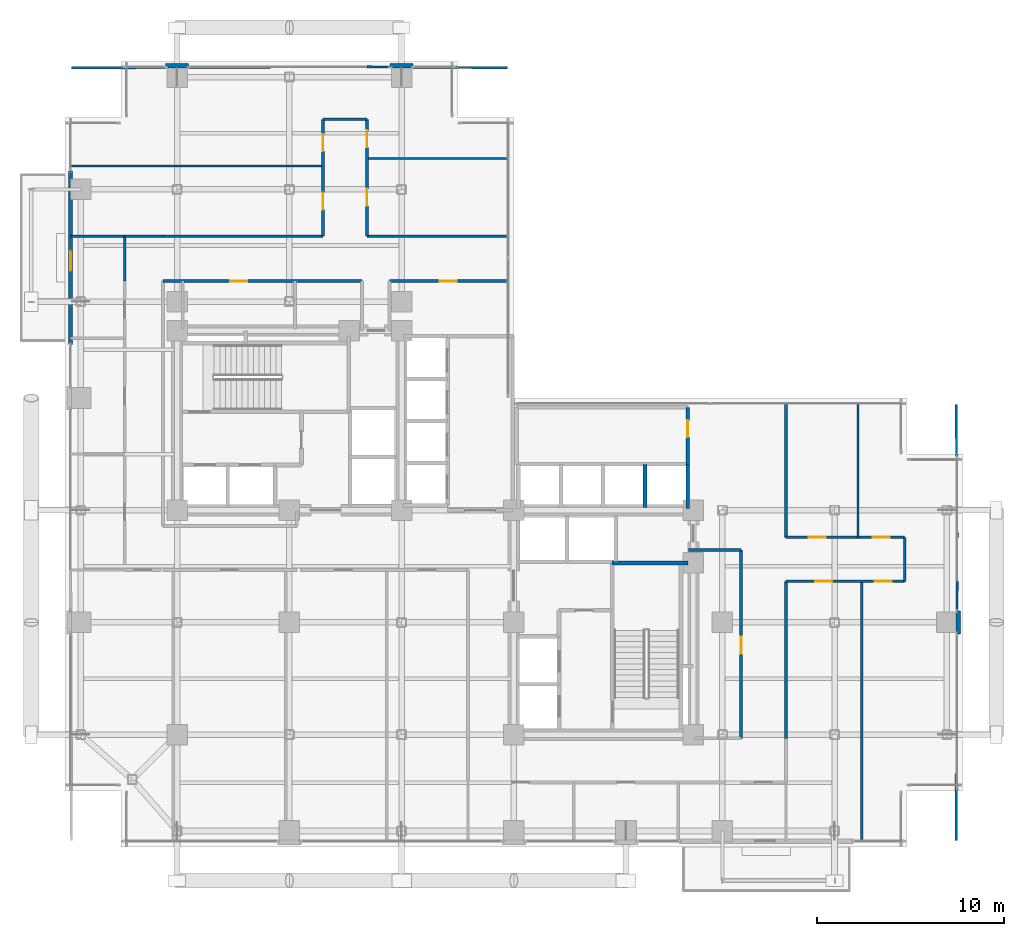
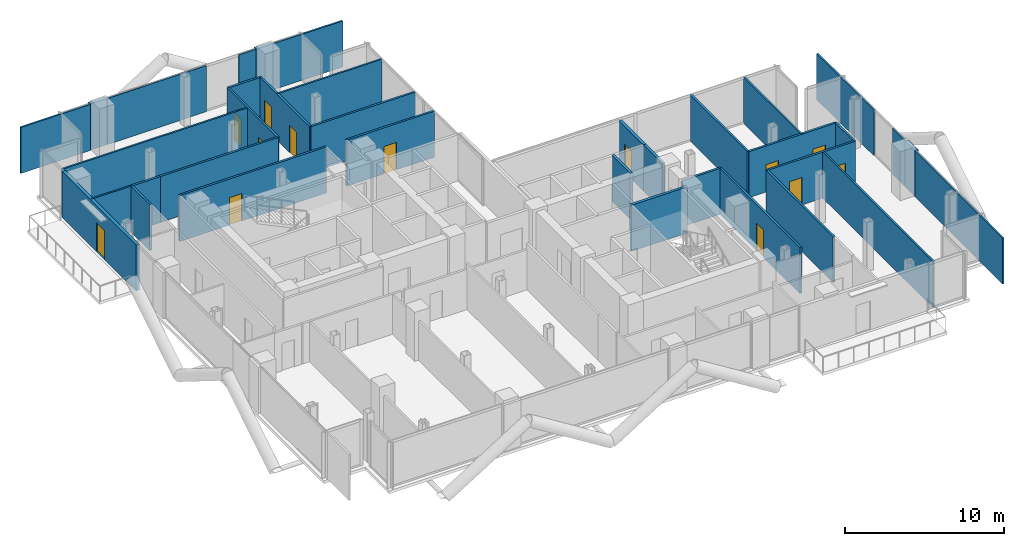
# One storey, part 24 of 28: 36 walls, 13 doors, 13 openings.
"""IFC4 building model written with IfcOpenShell, lengths in metres."""

from ifc_helpers import new_model, si_unit, direction, frame, frame_2d, origin, place, context, subcontext, project, spatial, rectangle, extrude, material, layer, layer_set, type_object, element, fill, save


model = new_model("IFC4")

# Units and contexts
model_context = context("Model", 3, precision=1e-05, world=origin(), true_north=direction((0.0, 1.0)))
body_context = subcontext(model_context, "Body", "Model", "MODEL_VIEW")
ifc_project = project(units=[si_unit("LENGTHUNIT", "METRE"), si_unit("AREAUNIT", "SQUARE_METRE"), si_unit("VOLUMEUNIT", "CUBIC_METRE"), si_unit("PLANEANGLEUNIT", "RADIAN"), si_unit("MASSUNIT", "GRAM", prefix="KILO"), si_unit("THERMODYNAMICTEMPERATUREUNIT", "KELVIN"), si_unit("POWERUNIT", "WATT")], contexts=[model_context])

# Site, building, storey
site_placement = place(None, origin())
site = spatial("IfcSite", under=ifc_project, at=site_placement, CompositionType="ELEMENT")
building_placement = place(site_placement, origin())
building = spatial("IfcBuilding", under=site, at=building_placement, Name="Svarakhadi Broadcast Tower", CompositionType="ELEMENT")
storey_placement = place(building_placement, frame((0.0, 0.0, 103.35009765625)))
storey = spatial("IfcBuildingStorey", under=building, at=storey_placement, Name="L24", CompositionType="ELEMENT", Elevation=103.35009765625)

# Wall, opening, door
ifc_material_1 = material(Name="Concrete C40/50 (IS 456 M50)", Category="concrete")
ifc_layer_1 = layer(ifc_material_1, 0.239990234375)
ifc_layer_set_1 = layer_set([ifc_layer_1], Name="Concrete C40/50 (IS 456 M50)")
wall_type_1 = type_object("IfcWallType", Name="Wall_Ext_240", PredefinedType="SOLIDWALL", material=ifc_layer_set_1)
wall_1_placement = place(storey_placement, frame((0.300048828125, 26.85498046875, 0.0), z_axis=(0.0, 0.0, 1.0), x_axis=(0.0, 1.0, 0.0)))
wall_1 = element("IfcWall", 1, at=wall_1_placement, inside=storey, type_object=wall_type_1, Name="L24 West Tree Balcony Spandrel Wall", PredefinedType="SOLIDWALL", context=body_context, shape_type="SweptSolid", body=[
    extrude(rectangle(XDim=9.2900390625, YDim=0.239990234375, at=frame_2d((4.64501953125, 0.0))), origin(), (0.0, 0.0, 1.0), 3.52490234375),
])
opening_1_placement = place(wall_1_placement, frame((3.945068359375, 0.0, 0.0)))
opening_1 = element("IfcOpeningElement", 2, at=opening_1_placement, cuts=wall_1, Name="Opening ED-05", PredefinedType="OPENING", context=body_context, shape_type="SweptSolid", body=[
    extrude(rectangle(XDim=1.050048828125, YDim=2.199951171875, at=frame_2d((0.52490234375, 1.10009765625))), frame((0.0, 0.1298828125, 0.0), z_axis=(0.0, -1.0, 0.0), x_axis=(1.0, 0.0, 0.0)), (0.0, 0.0, 1.0), 0.260009765625),
])
ifc_material_2 = material(Name="Anodised Bronze Aluminium AA 6063-T6", Category="aluminium")
door_type_1 = type_object("IfcDoorType", Name="Door_Ext_ED05", OperationType="SINGLE_SWING_LEFT", PredefinedType="DOOR", material=ifc_material_2)
door_1_placement = place(opening_1_placement, origin())
door_1 = element("IfcDoor", 3, at=door_1_placement, inside=storey, type_object=door_type_1, Name="L24 West Tree Balcony Door", OperationType="SINGLE_SWING_LEFT", OverallHeight=2.199951171875, OverallWidth=1.050048828125, PredefinedType="DOOR", context=body_context, shape_type="SweptSolid", body=[
    extrude(rectangle(XDim=1.050048828125, YDim=2.199951171875, at=frame_2d((0.52490234375, 1.10009765625))), frame((0.0, 0.02490234375, 0.0), z_axis=(0.0, -1.0, 0.0), x_axis=(1.0, 0.0, 0.0)), (0.0, 0.0, 1.0), 0.050048828125),
])
fill(opening_1, door_1)

# Walls
for number, where, z_axis, x_axis, name in (
    (4, (5.385009765625, 41.760009765625, 0.0), (0.0, 0.0, 1.0), (1.0, 0.0, 0.0), "L24 Perimeter Bronze Spandrel Closure Wall 03"),
    (5, (17.385009765625, 41.760009765625, 0.0), (0.0, 0.0, 1.0), (1.0, 0.0, 0.0), "L24 Perimeter Bronze Spandrel Closure Wall 04"),
    (6, (47.760009765625, 12.614990234375, 0.0), (0.0, 0.0, 1.0), (0.0, -1.0, 0.0), "L24 Perimeter Bronze Spandrel Closure Wall 05"),
):
    element("IfcWall", number, at=place(storey_placement, frame(where, z_axis=z_axis, x_axis=x_axis)), inside=storey, type_object=wall_type_1, Name=name, PredefinedType="SOLIDWALL", context=body_context, shape_type="SweptSolid", body=[
        extrude(rectangle(XDim=1.22998046875, YDim=0.239990234375, at=frame_2d((0.614990234375, 0.0))), origin(), (0.0, 0.0, 1.0), 3.52490234375),
    ])
ifc_material_3 = material(Name="Fire-Rated Moisture-Resistant Gypsum Board Partition", Category="gypsum")
ifc_layer_2 = layer(ifc_material_3, 0.125)
ifc_layer_set_2 = layer_set([ifc_layer_2], Name="Fire-Rated Moisture-Resistant Gypsum Board Partition")
wall_type_2 = type_object("IfcWallType", Name="Wall_Part_125", PredefinedType="PARTITIONING", material=ifc_layer_set_2)
wall_2_placement = place(storey_placement, frame((42.60009765625, 0.300048828125, 0.0), z_axis=(0.0, 0.0, 1.0), x_axis=(0.0, 1.0, 0.0)))
element("IfcWall", 7, at=wall_2_placement, inside=storey, type_object=wall_type_2, Name="L24 Setback Sky-Garden Pavilion Lounge Wall", PredefinedType="PARTITIONING", context=body_context, shape_type="SweptSolid", body=[
    extrude(rectangle(XDim=13.89990234375, YDim=0.125, at=frame_2d((6.949951171875, 0.0))), origin(), (0.0, 0.0, 1.0), 3.52490234375),
])
wall_3_placement = place(storey_placement, frame((47.64990234375, 0.35009765625, 0.0), z_axis=(0.0, 0.0, 1.0), x_axis=(0.003606251025, 0.999993497456, 0.0)))
element("IfcWall", 8, at=wall_3_placement, inside=storey, type_object=wall_type_2, Name="L24 Regional Playout Office Wall", PredefinedType="PARTITIONING", context=body_context, shape_type="SweptSolid", body=[
    extrude(rectangle(XDim=11.034912109375, YDim=0.125, at=frame_2d((5.517578125, 0.0))), origin(), (0.0, 0.0, 1.0), 3.52490234375),
])
wall_4_placement = place(storey_placement, frame((47.6943359375, 12.614990234375, 0.0), z_axis=(0.0, 0.0, 1.0), x_axis=(0.003542799701, 0.999993724265, 0.0)))
element("IfcWall", 9, at=wall_4_placement, inside=storey, type_object=wall_type_2, Name="L24 Regional Playout Office Wall", PredefinedType="PARTITIONING", context=body_context, shape_type="SweptSolid", body=[
    extrude(rectangle(XDim=1.5849609375, YDim=0.125, at=frame_2d((0.79248046875, 0.0))), origin(), (0.0, 0.0, 1.0), 3.52490234375),
])
wall_5_placement = place(storey_placement, frame((42.39990234375, 16.550048828125, 0.0), z_axis=(0.0, 0.0, 1.0), x_axis=(0.0, 1.0, 0.0)))
element("IfcWall", 10, at=wall_5_placement, inside=storey, type_object=wall_type_2, Name="L24 Broadcast Acoustic Booth Wall", PredefinedType="PARTITIONING", context=body_context, shape_type="SweptSolid", body=[
    extrude(rectangle(XDim=7.14990234375, YDim=0.125, at=frame_2d((3.574951171875, 0.0))), origin(), (0.0, 0.0, 1.0), 3.52490234375),
])
wall_6_placement = place(storey_placement, frame((47.699951171875, 16.550048828125, 0.0), z_axis=(0.0, 0.0, 1.0), x_axis=(-0.007049101019, 0.999975154779, 0.0)))
element("IfcWall", 11, at=wall_6_placement, inside=storey, type_object=wall_type_2, Name="L24 Broadcast Equipment Operations Room Wall", PredefinedType="PARTITIONING", context=body_context, shape_type="SweptSolid", body=[
    extrude(rectangle(XDim=7.10009765625, YDim=0.125, at=frame_2d((3.550048828125, 0.0))), origin(), (0.0, 0.0, 1.0), 3.52490234375),
])
wall_7_placement = place(storey_placement, frame((0.300048828125, 36.39990234375, 0.0), z_axis=(0.0, 0.0, 1.0), x_axis=(1.0, 0.0, 0.0)))
element("IfcWall", 12, at=wall_7_placement, inside=storey, type_object=wall_type_2, Name="L24 FM Radio Broadcast Booth Wall", PredefinedType="PARTITIONING", context=body_context, shape_type="SweptSolid", body=[
    extrude(rectangle(XDim=13.5, YDim=0.125, at=frame_2d((6.75, 0.0))), origin(), (0.0, 0.0, 1.0), 3.52490234375),
])
wall_8_placement = place(storey_placement, frame((0.35009765625, 41.64990234375, 0.0), z_axis=(0.0, 0.0, 1.0), x_axis=(0.999993029832, 0.003733669364, 0.0)))
element("IfcWall", 13, at=wall_8_placement, inside=storey, type_object=wall_type_2, Name="L24 Music Programming Room Wall", PredefinedType="PARTITIONING", context=body_context, shape_type="SweptSolid", body=[
    extrude(rectangle(XDim=5.034912109375, YDim=0.125, at=frame_2d((2.517578125, 0.0))), origin(), (0.0, 0.0, 1.0), 3.52490234375),
])
wall_9_placement = place(storey_placement, frame((6.614990234375, 41.67333984375, 0.0), z_axis=(0.0, 0.0, 1.0), x_axis=(0.99999314136, 0.003703678301, 0.0)))
element("IfcWall", 14, at=wall_9_placement, inside=storey, type_object=wall_type_2, Name="L24 Music Programming Room Wall", PredefinedType="PARTITIONING", context=body_context, shape_type="SweptSolid", body=[
    extrude(rectangle(XDim=7.18505859375, YDim=0.125, at=frame_2d((3.592529296875, 0.0))), origin(), (0.0, 0.0, 1.0), 3.52490234375),
])
wall_10_placement = place(storey_placement, frame((16.14990234375, 36.800048828125, 0.0), z_axis=(0.0, 0.0, 1.0), x_axis=(1.0, 0.0, 0.0)))
element("IfcWall", 15, at=wall_10_placement, inside=storey, type_object=wall_type_2, Name="L24 North Terrace Reception Lounge Wall", PredefinedType="PARTITIONING", context=body_context, shape_type="SweptSolid", body=[
    extrude(rectangle(XDim=7.550048828125, YDim=0.125, at=frame_2d((3.77490234375, 0.0))), origin(), (0.0, 0.0, 1.0), 3.52490234375),
])
wall_11_placement = place(storey_placement, frame((16.14990234375, 41.699951171875, 0.0), z_axis=(0.0, 0.0, 1.0), x_axis=(0.99997872573, -0.006522889494, 0.0)))
element("IfcWall", 16, at=wall_11_placement, inside=storey, type_object=wall_type_2, Name="L24 Schedule Desk Office Wall", PredefinedType="PARTITIONING", context=body_context, shape_type="SweptSolid", body=[
    extrude(rectangle(XDim=1.235107421875, YDim=0.125, at=frame_2d((0.61767578125, 0.0))), origin(), (0.0, 0.0, 1.0), 3.52490234375),
])
wall_12_placement = place(storey_placement, frame((18.614990234375, 41.68359375, 0.0), z_axis=(0.0, 0.0, 1.0), x_axis=(0.999977612278, -0.006691408161, 0.0)))
element("IfcWall", 17, at=wall_12_placement, inside=storey, type_object=wall_type_2, Name="L24 Schedule Desk Office Wall", PredefinedType="PARTITIONING", context=body_context, shape_type="SweptSolid", body=[
    extrude(rectangle(XDim=5.034912109375, YDim=0.125, at=frame_2d((2.517578125, 0.0))), origin(), (0.0, 0.0, 1.0), 3.52490234375),
])
wall_13_placement = place(storey_placement, frame((0.300048828125, 32.64990234375, 0.0), z_axis=(0.0, 0.0, 1.0), x_axis=(1.0, 0.0, 0.0)))
element("IfcWall", 18, at=wall_13_placement, inside=storey, type_object=wall_type_2, Name="L24 Producer Quiet Lounge Wall", PredefinedType="PARTITIONING", context=body_context, shape_type="SweptSolid", body=[
    extrude(rectangle(XDim=2.89990234375, YDim=0.125, at=frame_2d((1.449951171875, 0.0))), origin(), (0.0, 0.0, 1.0), 3.52490234375),
])

# Wall, opening, door
ifc_material_4 = material(Name="Autoclaved Aerated Concrete Blockwork 150 mm", Category="masonry")
ifc_layer_3 = layer(ifc_material_4, 0.14990234375)
ifc_layer_set_3 = layer_set([ifc_layer_3], Name="Autoclaved Aerated Concrete Blockwork 150 mm")
wall_type_3 = type_object("IfcWallType", Name="Wall_Part_150", PredefinedType="PARTITIONING", material=ifc_layer_set_3)
wall_14_placement = place(storey_placement, frame((36.14990234375, 5.800048828125, 0.0), z_axis=(0.0, 0.0, 1.0), x_axis=(0.0, 1.0, 0.0)))
wall_14 = element("IfcWall", 19, at=wall_14_placement, inside=storey, type_object=wall_type_3, Name="L24 Broadcast Corridor Wall", PredefinedType="PARTITIONING", context=body_context, shape_type="SweptSolid", body=[
    extrude(rectangle(XDim=10.079833984375, YDim=0.14990234375, at=frame_2d((5.0400390625, 0.0))), origin(), (0.0, 0.0, 1.0), 3.52490234375),
])
opening_2_placement = place(wall_14_placement, frame((4.530029296875, 0.0, 0.0)))
opening_2 = element("IfcOpeningElement", 20, at=opening_2_placement, cuts=wall_14, Name="Opening D-14", PredefinedType="OPENING", context=body_context, shape_type="SweptSolid", body=[
    extrude(rectangle(XDim=0.89990234375, YDim=2.10009765625, at=frame_2d((0.449951171875, 1.050048828125))), frame((0.0, 0.0849609375, 0.0), z_axis=(0.0, -1.0, 0.0), x_axis=(1.0, 0.0, 0.0)), (0.0, 0.0, 1.0), 0.169921875),
])
ifc_material_5 = material(Name="Solid-Core Teak Veneer Acoustic Timber Leaf", Category="wood")
door_type_2 = type_object("IfcDoorType", Name="Door_Int_D14", OperationType="SINGLE_SWING_LEFT", PredefinedType="DOOR", material=ifc_material_5)
door_2_placement = place(opening_2_placement, origin())
door_2 = element("IfcDoor", 21, at=door_2_placement, inside=storey, type_object=door_type_2, Name="L24 Live Feed Monitoring Studio Door", OperationType="SINGLE_SWING_LEFT", OverallHeight=2.10009765625, OverallWidth=0.89990234375, PredefinedType="DOOR", context=body_context, shape_type="SweptSolid", body=[
    extrude(rectangle(XDim=0.89990234375, YDim=2.10009765625, at=frame_2d((0.449951171875, 1.050048828125))), frame((0.0, 0.02490234375, 0.0), z_axis=(0.0, -1.0, 0.0), x_axis=(1.0, 0.0, 0.0)), (0.0, 0.0, 1.0), 0.050048828125),
])
fill(opening_2, door_2)

# Walls
wall_15_placement = place(storey_placement, frame((36.14990234375, 15.8798828125, 0.0), z_axis=(0.0, 0.0, 1.0), x_axis=(-1.0, 0.0, 0.0)))
element("IfcWall", 22, at=wall_15_placement, inside=storey, type_object=wall_type_3, Name="L24 Broadcast Corridor Wall", PredefinedType="PARTITIONING", context=body_context, shape_type="SweptSolid", body=[
    extrude(rectangle(XDim=2.809814453125, YDim=0.14990234375, at=frame_2d((1.40478515625, 0.0))), origin(), (0.0, 0.0, 1.0), 3.52490234375),
])
wall_16_placement = place(storey_placement, frame((38.550048828125, 23.699951171875, 0.0), z_axis=(0.0, 0.0, 1.0), x_axis=(0.0, -1.0, 0.0)))
element("IfcWall", 23, at=wall_16_placement, inside=storey, type_object=wall_type_3, Name="L24 Broadcast Corridor Wall", PredefinedType="PARTITIONING", context=body_context, shape_type="SweptSolid", body=[
    extrude(rectangle(XDim=7.14990234375, YDim=0.14990234375, at=frame_2d((3.574951171875, 0.0))), origin(), (0.0, 0.0, 1.0), 3.52490234375),
])

# Wall, openings, doors
wall_17_placement = place(storey_placement, frame((38.550048828125, 16.550048828125, 0.0), z_axis=(0.0, 0.0, 1.0), x_axis=(1.0, 0.0, 0.0)))
wall_17 = element("IfcWall", 24, at=wall_17_placement, inside=storey, type_object=wall_type_3, Name="L24 Broadcast Corridor Wall", PredefinedType="PARTITIONING", context=body_context, shape_type="SweptSolid", body=[
    extrude(rectangle(XDim=6.349853515625, YDim=0.14990234375, at=frame_2d((3.1748046875, 0.0))), origin(), (0.0, 0.0, 1.0), 3.52490234375),
])
opening_3_placement = place(wall_17_placement, frame((1.22998046875, 0.0, 0.0)))
opening_3 = element("IfcOpeningElement", 25, at=opening_3_placement, cuts=wall_17, Name="Opening D-14", PredefinedType="OPENING", context=body_context, shape_type="SweptSolid", body=[
    extrude(rectangle(XDim=0.89990234375, YDim=2.10009765625, at=frame_2d((0.449951171875, 1.050048828125))), frame((0.0, 0.0849609375, 0.0), z_axis=(0.0, -1.0, 0.0), x_axis=(1.0, 0.0, 0.0)), (0.0, 0.0, 1.0), 0.169921875),
])
opening_4_placement = place(wall_17_placement, frame((4.64990234375, 0.0, 0.0)))
opening_4 = element("IfcOpeningElement", 26, at=opening_4_placement, cuts=wall_17, Name="Opening D-15", PredefinedType="OPENING", context=body_context, shape_type="SweptSolid", body=[
    extrude(rectangle(XDim=0.89990234375, YDim=2.10009765625, at=frame_2d((0.449951171875, 1.050048828125))), frame((0.0, 0.0849609375, 0.0), z_axis=(0.0, -1.0, 0.0), x_axis=(1.0, 0.0, 0.0)), (0.0, 0.0, 1.0), 0.169921875),
])
door_3_placement = place(opening_3_placement, origin())
door_3 = element("IfcDoor", 27, at=door_3_placement, inside=storey, type_object=door_type_2, Name="L24 Broadcast Acoustic Booth Door", OperationType="SINGLE_SWING_LEFT", OverallHeight=2.10009765625, OverallWidth=0.89990234375, PredefinedType="DOOR", context=body_context, shape_type="SweptSolid", body=[
    extrude(rectangle(XDim=0.89990234375, YDim=2.10009765625, at=frame_2d((0.449951171875, 1.050048828125))), frame((0.0, 0.02490234375, 0.0), z_axis=(0.0, -1.0, 0.0), x_axis=(1.0, 0.0, 0.0)), (0.0, 0.0, 1.0), 0.050048828125),
])
fill(opening_3, door_3)
door_type_3 = type_object("IfcDoorType", Name="Door_Int_D15", OperationType="SINGLE_SWING_RIGHT", PredefinedType="DOOR", material=ifc_material_5)
door_4_placement = place(opening_4_placement, origin())
door_4 = element("IfcDoor", 28, at=door_4_placement, inside=storey, type_object=door_type_3, Name="L24 Broadcast Equipment Operations Room Door", OperationType="SINGLE_SWING_RIGHT", OverallHeight=2.10009765625, OverallWidth=0.89990234375, PredefinedType="DOOR", context=body_context, shape_type="SweptSolid", body=[
    extrude(rectangle(XDim=0.89990234375, YDim=2.10009765625, at=frame_2d((0.449951171875, 1.050048828125))), frame((0.0, 0.02490234375, 0.0), z_axis=(0.0, -1.0, 0.0), x_axis=(1.0, 0.0, 0.0)), (0.0, 0.0, 1.0), 0.050048828125),
])
fill(opening_4, door_4)

# Wall
wall_18_placement = place(storey_placement, frame((44.89990234375, 16.550048828125, 0.0), z_axis=(0.0, 0.0, 1.0), x_axis=(0.0, -1.0, 0.0)))
element("IfcWall", 29, at=wall_18_placement, inside=storey, type_object=wall_type_3, Name="L24 Broadcast Corridor Wall", PredefinedType="PARTITIONING", context=body_context, shape_type="SweptSolid", body=[
    extrude(rectangle(XDim=2.35009765625, YDim=0.14990234375, at=frame_2d((1.175048828125, 0.0))), origin(), (0.0, 0.0, 1.0), 3.52490234375),
])

# Wall, openings, doors
wall_19_placement = place(storey_placement, frame((44.89990234375, 14.199951171875, 0.0), z_axis=(0.0, 0.0, 1.0), x_axis=(-1.0, 0.0, 0.0)))
wall_19 = element("IfcWall", 30, at=wall_19_placement, inside=storey, type_object=wall_type_3, Name="L24 Broadcast Corridor Wall", PredefinedType="PARTITIONING", context=body_context, shape_type="SweptSolid", body=[
    extrude(rectangle(XDim=6.349853515625, YDim=0.14990234375, at=frame_2d((3.1748046875, 0.0))), origin(), (0.0, 0.0, 1.0), 3.52490234375),
])
opening_5_placement = place(wall_19_placement, frame((3.875, 0.0, 0.0)))
opening_5 = element("IfcOpeningElement", 31, at=opening_5_placement, cuts=wall_19, Name="Opening D-14", PredefinedType="OPENING", context=body_context, shape_type="SweptSolid", body=[
    extrude(rectangle(XDim=0.89990234375, YDim=2.10009765625, at=frame_2d((0.449951171875, 1.050048828125))), frame((0.0, 0.0849609375, 0.0), z_axis=(0.0, -1.0, 0.0), x_axis=(1.0, 0.0, 0.0)), (0.0, 0.0, 1.0), 0.169921875),
])
opening_6_placement = place(wall_19_placement, frame((0.699951171875, 0.0, 0.0)))
opening_6 = element("IfcOpeningElement", 32, at=opening_6_placement, cuts=wall_19, Name="Opening D-15", PredefinedType="OPENING", context=body_context, shape_type="SweptSolid", body=[
    extrude(rectangle(XDim=0.89990234375, YDim=2.10009765625, at=frame_2d((0.449951171875, 1.050048828125))), frame((0.0, 0.0849609375, 0.0), z_axis=(0.0, -1.0, 0.0), x_axis=(1.0, 0.0, 0.0)), (0.0, 0.0, 1.0), 0.169921875),
])
door_5_placement = place(opening_5_placement, origin())
door_5 = element("IfcDoor", 33, at=door_5_placement, inside=storey, type_object=door_type_2, Name="L24 Setback Sky-Garden Pavilion Lounge Door", OperationType="SINGLE_SWING_LEFT", OverallHeight=2.10009765625, OverallWidth=0.89990234375, PredefinedType="DOOR", context=body_context, shape_type="SweptSolid", body=[
    extrude(rectangle(XDim=0.89990234375, YDim=2.10009765625, at=frame_2d((0.449951171875, 1.050048828125))), frame((0.0, 0.02490234375, 0.0), z_axis=(0.0, -1.0, 0.0), x_axis=(1.0, 0.0, 0.0)), (0.0, 0.0, 1.0), 0.050048828125),
])
fill(opening_5, door_5)
door_6_placement = place(opening_6_placement, origin())
door_6 = element("IfcDoor", 34, at=door_6_placement, inside=storey, type_object=door_type_3, Name="L24 Regional Playout Office Door", OperationType="SINGLE_SWING_RIGHT", OverallHeight=2.10009765625, OverallWidth=0.89990234375, PredefinedType="DOOR", context=body_context, shape_type="SweptSolid", body=[
    extrude(rectangle(XDim=0.89990234375, YDim=2.10009765625, at=frame_2d((0.449951171875, 1.050048828125))), frame((0.0, 0.02490234375, 0.0), z_axis=(0.0, -1.0, 0.0), x_axis=(1.0, 0.0, 0.0)), (0.0, 0.0, 1.0), 0.050048828125),
])
fill(opening_6, door_6)

# Walls
wall_20_placement = place(storey_placement, frame((38.550048828125, 14.199951171875, 0.0), z_axis=(0.0, 0.0, 1.0), x_axis=(0.0, -1.0, 0.0)))
element("IfcWall", 35, at=wall_20_placement, inside=storey, type_object=wall_type_3, Name="L24 Broadcast Corridor Wall", PredefinedType="PARTITIONING", context=body_context, shape_type="SweptSolid", body=[
    extrude(rectangle(XDim=8.39990234375, YDim=0.14990234375, at=frame_2d((4.199951171875, 0.0))), origin(), (0.0, 0.0, 1.0), 3.52490234375),
])
wall_21_placement = place(storey_placement, frame((3.199951171875, 30.25, 0.0), z_axis=(0.0, 0.0, 1.0), x_axis=(0.0, 1.0, 0.0)))
element("IfcWall", 36, at=wall_21_placement, inside=storey, type_object=wall_type_3, Name="L24 Broadcast Corridor Wall", PredefinedType="PARTITIONING", context=body_context, shape_type="SweptSolid", body=[
    extrude(rectangle(XDim=2.39990234375, YDim=0.14990234375, at=frame_2d((1.199951171875, 0.0))), origin(), (0.0, 0.0, 1.0), 3.52490234375),
])
wall_22_placement = place(storey_placement, frame((3.199951171875, 32.64990234375, 0.0), z_axis=(0.0, 0.0, 1.0), x_axis=(1.0, 0.0, 0.0)))
element("IfcWall", 37, at=wall_22_placement, inside=storey, type_object=wall_type_3, Name="L24 Broadcast Corridor Wall", PredefinedType="PARTITIONING", context=body_context, shape_type="SweptSolid", body=[
    extrude(rectangle(XDim=2.050048828125, YDim=0.14990234375, at=frame_2d((1.02490234375, 0.0))), origin(), (0.0, 0.0, 1.0), 3.52490234375),
])
wall_23_placement = place(storey_placement, frame((5.25, 32.64990234375, 0.0), z_axis=(0.0, 0.0, 1.0), x_axis=(1.0, 0.0, 0.0)))
element("IfcWall", 38, at=wall_23_placement, inside=storey, type_object=wall_type_3, Name="L24 Broadcast Corridor Wall", PredefinedType="PARTITIONING", context=body_context, shape_type="SweptSolid", body=[
    extrude(rectangle(XDim=8.550048828125, YDim=0.14990234375, at=frame_2d((4.27490234375, 0.0))), origin(), (0.0, 0.0, 1.0), 3.52490234375),
])

# Wall, openings, doors
wall_24_placement = place(storey_placement, frame((13.800048828125, 32.64990234375, 0.0), z_axis=(0.0, 0.0, 1.0), x_axis=(0.0, 1.0, 0.0)))
wall_24 = element("IfcWall", 39, at=wall_24_placement, inside=storey, type_object=wall_type_3, Name="L24 Broadcast Corridor Wall", PredefinedType="PARTITIONING", context=body_context, shape_type="SweptSolid", body=[
    extrude(rectangle(XDim=6.25, YDim=0.14990234375, at=frame_2d((3.125, 0.0))), origin(), (0.0, 0.0, 1.0), 3.52490234375),
])
opening_7_placement = place(wall_24_placement, frame((1.425048828125, 0.0, 0.0)))
opening_7 = element("IfcOpeningElement", 40, at=opening_7_placement, cuts=wall_24, Name="Opening D-14", PredefinedType="OPENING", context=body_context, shape_type="SweptSolid", body=[
    extrude(rectangle(XDim=0.89990234375, YDim=2.10009765625, at=frame_2d((0.449951171875, 1.050048828125))), frame((0.0, 0.0849609375, 0.0), z_axis=(0.0, -1.0, 0.0), x_axis=(1.0, 0.0, 0.0)), (0.0, 0.0, 1.0), 0.169921875),
])
opening_8_placement = place(wall_24_placement, frame((4.550048828125, 0.0, 0.0)))
opening_8 = element("IfcOpeningElement", 41, at=opening_8_placement, cuts=wall_24, Name="Opening D-15", PredefinedType="OPENING", context=body_context, shape_type="SweptSolid", body=[
    extrude(rectangle(XDim=0.89990234375, YDim=2.10009765625, at=frame_2d((0.449951171875, 1.050048828125))), frame((0.0, 0.0849609375, 0.0), z_axis=(0.0, -1.0, 0.0), x_axis=(1.0, 0.0, 0.0)), (0.0, 0.0, 1.0), 0.169921875),
])
door_7_placement = place(opening_7_placement, origin())
door_7 = element("IfcDoor", 42, at=door_7_placement, inside=storey, type_object=door_type_2, Name="L24 FM Radio Broadcast Booth Door", OperationType="SINGLE_SWING_LEFT", OverallHeight=2.10009765625, OverallWidth=0.89990234375, PredefinedType="DOOR", context=body_context, shape_type="SweptSolid", body=[
    extrude(rectangle(XDim=0.89990234375, YDim=2.10009765625, at=frame_2d((0.449951171875, 1.050048828125))), frame((0.0, 0.02490234375, 0.0), z_axis=(0.0, -1.0, 0.0), x_axis=(1.0, 0.0, 0.0)), (0.0, 0.0, 1.0), 0.050048828125),
])
fill(opening_7, door_7)
door_8_placement = place(opening_8_placement, origin())
door_8 = element("IfcDoor", 43, at=door_8_placement, inside=storey, type_object=door_type_3, Name="L24 Music Programming Room Door", OperationType="SINGLE_SWING_RIGHT", OverallHeight=2.10009765625, OverallWidth=0.89990234375, PredefinedType="DOOR", context=body_context, shape_type="SweptSolid", body=[
    extrude(rectangle(XDim=0.89990234375, YDim=2.10009765625, at=frame_2d((0.449951171875, 1.050048828125))), frame((0.0, 0.02490234375, 0.0), z_axis=(0.0, -1.0, 0.0), x_axis=(1.0, 0.0, 0.0)), (0.0, 0.0, 1.0), 0.050048828125),
])
fill(opening_8, door_8)

# Wall
wall_25_placement = place(storey_placement, frame((13.800048828125, 38.89990234375, 0.0), z_axis=(0.0, 0.0, 1.0), x_axis=(1.0, 0.0, 0.0)))
element("IfcWall", 44, at=wall_25_placement, inside=storey, type_object=wall_type_3, Name="L24 Broadcast Corridor Wall", PredefinedType="PARTITIONING", context=body_context, shape_type="SweptSolid", body=[
    extrude(rectangle(XDim=2.349853515625, YDim=0.14990234375, at=frame_2d((1.1748046875, 0.0))), origin(), (0.0, 0.0, 1.0), 3.52490234375),
])

# Wall, openings, doors
wall_26_placement = place(storey_placement, frame((16.14990234375, 38.89990234375, 0.0), z_axis=(0.0, 0.0, 1.0), x_axis=(0.0, -1.0, 0.0)))
wall_26 = element("IfcWall", 45, at=wall_26_placement, inside=storey, type_object=wall_type_3, Name="L24 Broadcast Corridor Wall", PredefinedType="PARTITIONING", context=body_context, shape_type="SweptSolid", body=[
    extrude(rectangle(XDim=6.25, YDim=0.14990234375, at=frame_2d((3.125, 0.0))), origin(), (0.0, 0.0, 1.0), 3.52490234375),
])
opening_9_placement = place(wall_26_placement, frame((3.72509765625, 0.0, 0.0)))
opening_9 = element("IfcOpeningElement", 46, at=opening_9_placement, cuts=wall_26, Name="Opening D-14", PredefinedType="OPENING", context=body_context, shape_type="SweptSolid", body=[
    extrude(rectangle(XDim=0.89990234375, YDim=2.10009765625, at=frame_2d((0.449951171875, 1.050048828125))), frame((0.0, 0.0849609375, 0.0), z_axis=(0.0, -1.0, 0.0), x_axis=(1.0, 0.0, 0.0)), (0.0, 0.0, 1.0), 0.169921875),
])
opening_10_placement = place(wall_26_placement, frame((0.60009765625, 0.0, 0.0)))
opening_10 = element("IfcOpeningElement", 47, at=opening_10_placement, cuts=wall_26, Name="Opening D-15", PredefinedType="OPENING", context=body_context, shape_type="SweptSolid", body=[
    extrude(rectangle(XDim=0.89990234375, YDim=2.10009765625, at=frame_2d((0.449951171875, 1.050048828125))), frame((0.0, 0.0849609375, 0.0), z_axis=(0.0, -1.0, 0.0), x_axis=(1.0, 0.0, 0.0)), (0.0, 0.0, 1.0), 0.169921875),
])
door_9_placement = place(opening_9_placement, origin())
door_9 = element("IfcDoor", 48, at=door_9_placement, inside=storey, type_object=door_type_2, Name="L24 North Terrace Reception Lounge Door", OperationType="SINGLE_SWING_LEFT", OverallHeight=2.10009765625, OverallWidth=0.89990234375, PredefinedType="DOOR", context=body_context, shape_type="SweptSolid", body=[
    extrude(rectangle(XDim=0.89990234375, YDim=2.10009765625, at=frame_2d((0.449951171875, 1.050048828125))), frame((0.0, 0.02490234375, 0.0), z_axis=(0.0, -1.0, 0.0), x_axis=(1.0, 0.0, 0.0)), (0.0, 0.0, 1.0), 0.050048828125),
])
fill(opening_9, door_9)
door_10_placement = place(opening_10_placement, origin())
door_10 = element("IfcDoor", 49, at=door_10_placement, inside=storey, type_object=door_type_3, Name="L24 Schedule Desk Office Door", OperationType="SINGLE_SWING_RIGHT", OverallHeight=2.10009765625, OverallWidth=0.89990234375, PredefinedType="DOOR", context=body_context, shape_type="SweptSolid", body=[
    extrude(rectangle(XDim=0.89990234375, YDim=2.10009765625, at=frame_2d((0.449951171875, 1.050048828125))), frame((0.0, 0.02490234375, 0.0), z_axis=(0.0, -1.0, 0.0), x_axis=(1.0, 0.0, 0.0)), (0.0, 0.0, 1.0), 0.050048828125),
])
fill(opening_10, door_10)

# Wall
wall_27_placement = place(storey_placement, frame((16.14990234375, 32.64990234375, 0.0), z_axis=(0.0, 0.0, 1.0), x_axis=(1.0, 0.0, 0.0)))
element("IfcWall", 50, at=wall_27_placement, inside=storey, type_object=wall_type_3, Name="L24 Broadcast Corridor Wall", PredefinedType="PARTITIONING", context=body_context, shape_type="SweptSolid", body=[
    extrude(rectangle(XDim=7.550048828125, YDim=0.14990234375, at=frame_2d((3.77490234375, 0.0))), origin(), (0.0, 0.0, 1.0), 3.52490234375),
])

# Wall, opening, door
wall_28_placement = place(storey_placement, frame((23.699951171875, 30.25, 0.0), z_axis=(0.0, 0.0, 1.0), x_axis=(-1.0, 0.0, 0.0)))
wall_28 = element("IfcWall", 51, at=wall_28_placement, inside=storey, type_object=wall_type_3, Name="L24 Broadcast Corridor Wall", PredefinedType="PARTITIONING", context=body_context, shape_type="SweptSolid", body=[
    extrude(rectangle(XDim=6.349853515625, YDim=0.14990234375, at=frame_2d((3.1748046875, 0.0))), origin(), (0.0, 0.0, 1.0), 3.52490234375),
])
opening_11_placement = place(wall_28_placement, frame((2.75, 0.0, 0.0)))
opening_11 = element("IfcOpeningElement", 52, at=opening_11_placement, cuts=wall_28, Name="Opening D-14", PredefinedType="OPENING", context=body_context, shape_type="SweptSolid", body=[
    extrude(rectangle(XDim=0.89990234375, YDim=2.10009765625, at=frame_2d((0.449951171875, 1.050048828125))), frame((0.0, 0.0849609375, 0.0), z_axis=(0.0, -1.0, 0.0), x_axis=(1.0, 0.0, 0.0)), (0.0, 0.0, 1.0), 0.169921875),
])
door_11_placement = place(opening_11_placement, origin())
door_11 = element("IfcDoor", 53, at=door_11_placement, inside=storey, type_object=door_type_2, Name="L24 Production Continuity Office Door", OperationType="SINGLE_SWING_LEFT", OverallHeight=2.10009765625, OverallWidth=0.89990234375, PredefinedType="DOOR", context=body_context, shape_type="SweptSolid", body=[
    extrude(rectangle(XDim=0.89990234375, YDim=2.10009765625, at=frame_2d((0.449951171875, 1.050048828125))), frame((0.0, 0.02490234375, 0.0), z_axis=(0.0, -1.0, 0.0), x_axis=(1.0, 0.0, 0.0)), (0.0, 0.0, 1.0), 0.050048828125),
])
fill(opening_11, door_11)

wall_29_placement = place(storey_placement, frame((15.8798828125, 30.25, 0.0), z_axis=(0.0, 0.0, 1.0), x_axis=(-1.0, 0.0, 0.0)))
wall_29 = element("IfcWall", 54, at=wall_29_placement, inside=storey, type_object=wall_type_3, Name="L24 Broadcast Corridor Wall", PredefinedType="PARTITIONING", context=body_context, shape_type="SweptSolid", body=[
    extrude(rectangle(XDim=10.6298828125, YDim=0.14990234375, at=frame_2d((5.31494140625, 0.0))), origin(), (0.0, 0.0, 1.0), 3.52490234375),
])
opening_12_placement = place(wall_29_placement, frame((6.1298828125, 0.0, 0.0)))
opening_12 = element("IfcOpeningElement", 55, at=opening_12_placement, cuts=wall_29, Name="Opening D-13", PredefinedType="OPENING", context=body_context, shape_type="SweptSolid", body=[
    extrude(rectangle(XDim=0.89990234375, YDim=2.10009765625, at=frame_2d((0.449951171875, 1.050048828125))), frame((0.0, 0.0849609375, 0.0), z_axis=(0.0, -1.0, 0.0), x_axis=(1.0, 0.0, 0.0)), (0.0, 0.0, 1.0), 0.169921875),
])
door_type_4 = type_object("IfcDoorType", Name="Door_Closet_D13", OperationType="SINGLE_SWING_RIGHT", PredefinedType="DOOR", material=ifc_material_5)
door_12_placement = place(opening_12_placement, origin())
door_12 = element("IfcDoor", 56, at=door_12_placement, inside=storey, type_object=door_type_4, Name="L24 Accessible Toilet WC Door", OperationType="SINGLE_SWING_RIGHT", OverallHeight=2.10009765625, OverallWidth=0.89990234375, PredefinedType="DOOR", context=body_context, shape_type="SweptSolid", body=[
    extrude(rectangle(XDim=0.89990234375, YDim=2.10009765625, at=frame_2d((0.449951171875, 1.050048828125))), frame((0.0, 0.02490234375, 0.0), z_axis=(0.0, -1.0, 0.0), x_axis=(1.0, 0.0, 0.0)), (0.0, 0.0, 1.0), 0.050048828125),
])
fill(opening_12, door_12)

# Walls
ifc_material_6 = material(Name="Concrete C50/60 (IS 456 M60)", Category="concrete")
ifc_layer_4 = layer(ifc_material_6, 0.199951171875)
ifc_layer_set_4 = layer_set([ifc_layer_4], Name="Concrete C50/60 (IS 456 M60)")
wall_type_4 = type_object("IfcWallType", Name="Wall_Shear_200", PredefinedType="SHEAR", material=ifc_layer_set_4)
wall_30_placement = place(storey_placement, frame((29.260009765625, 15.179931640625, 0.0), z_axis=(0.0, 0.0, 1.0), x_axis=(1.0, 0.0, 0.0)))
element("IfcWall", 57, at=wall_30_placement, inside=storey, type_object=wall_type_4, Name="L24 Stair ST-02 North RC Shaft Wall", PredefinedType="SHEAR", context=body_context, shape_type="SweptSolid", body=[
    extrude(rectangle(XDim=4.0400390625, YDim=0.199951171875, at=frame_2d((2.02001953125, 0.0))), origin(), (0.0, 0.0, 1.0), 3.52490234375),
])
wall_31_placement = place(storey_placement, frame((33.300048828125, 18.10009765625, 0.0), z_axis=(0.0, 0.0, 1.0), x_axis=(0.0, 1.0, 0.0)))
element("IfcWall", 58, at=wall_31_placement, inside=storey, type_object=wall_type_4, Name="L24 Bank B East Shaft Wall", PredefinedType="SHEAR", context=body_context, shape_type="SweptSolid", body=[
    extrude(rectangle(XDim=2.349853515625, YDim=0.199951171875, at=frame_2d((1.1748046875, 0.0))), origin(), (0.0, 0.0, 1.0), 3.52490234375),
])
wall_32_placement = place(storey_placement, frame((31.02001953125, 18.14990234375, 0.0), z_axis=(0.0, 0.0, 1.0), x_axis=(0.0, 1.0, 0.0)))
element("IfcWall", 59, at=wall_32_placement, inside=storey, type_object=wall_type_4, Name="L24 Bank B Divider", PredefinedType="SHEAR", context=body_context, shape_type="SweptSolid", body=[
    extrude(rectangle(XDim=2.300048828125, YDim=0.199951171875, at=frame_2d((1.14990234375, 0.0))), origin(), (0.0, 0.0, 1.0), 3.52490234375),
])

# Wall, opening, door
wall_33_placement = place(storey_placement, frame((33.300048828125, 20.449951171875, 0.0), z_axis=(0.0, 0.0, 1.0), x_axis=(0.0, 1.0, 0.0)))
wall_33 = element("IfcWall", 60, at=wall_33_placement, inside=storey, type_object=wall_type_4, Name="L24 Bank B Lift Hall East Wall", PredefinedType="SHEAR", context=body_context, shape_type="SweptSolid", body=[
    extrude(rectangle(XDim=3.050048828125, YDim=0.199951171875, at=frame_2d((1.52490234375, 0.0))), origin(), (0.0, 0.0, 1.0), 3.52490234375),
])
opening_13_placement = place(wall_33_placement, frame((1.449951171875, 0.0, 0.0)))
opening_13 = element("IfcOpeningElement", 61, at=opening_13_placement, cuts=wall_33, Name="Opening D-03", PredefinedType="OPENING", context=body_context, shape_type="SweptSolid", body=[
    extrude(rectangle(XDim=0.89990234375, YDim=2.14990234375, at=frame_2d((0.449951171875, 1.074951171875))), frame((0.0, 0.10986328125, 0.0), z_axis=(0.0, -1.0, 0.0), x_axis=(1.0, 0.0, 0.0)), (0.0, 0.0, 1.0), 0.219970703125),
])
ifc_material_7 = material(Name="Galvanised Powder-Coated Fire-Rated Steel Leaf", Category="steel")
door_type_5 = type_object("IfcDoorType", Name="Door_Fire_D03", OperationType="SINGLE_SWING_LEFT", PredefinedType="DOOR", material=ifc_material_7)
door_13_placement = place(opening_13_placement, origin())
door_13 = element("IfcDoor", 62, at=door_13_placement, inside=storey, type_object=door_type_5, Name="L24 Mid-Rise Lift Hall East Corridor Door", OperationType="SINGLE_SWING_LEFT", OverallHeight=2.14990234375, OverallWidth=0.89990234375, PredefinedType="DOOR", context=body_context, shape_type="SweptSolid", body=[
    extrude(rectangle(XDim=0.89990234375, YDim=2.14990234375, at=frame_2d((0.449951171875, 1.074951171875))), frame((0.0, 0.02490234375, 0.0), z_axis=(0.0, -1.0, 0.0), x_axis=(1.0, 0.0, 0.0)), (0.0, 0.0, 1.0), 0.050048828125),
])
fill(opening_13, door_13)

save(model, "model.ifc")
